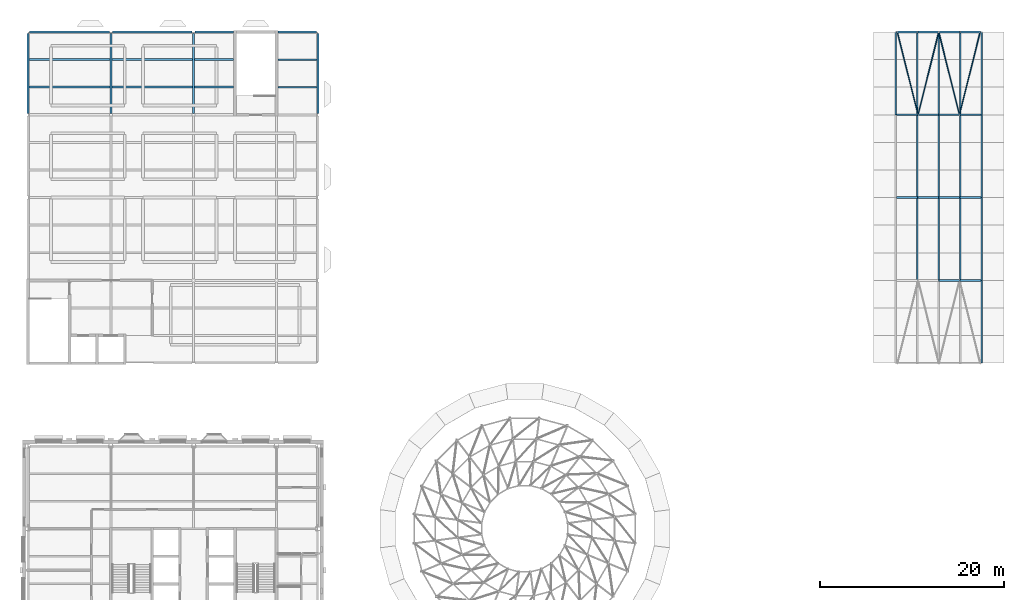
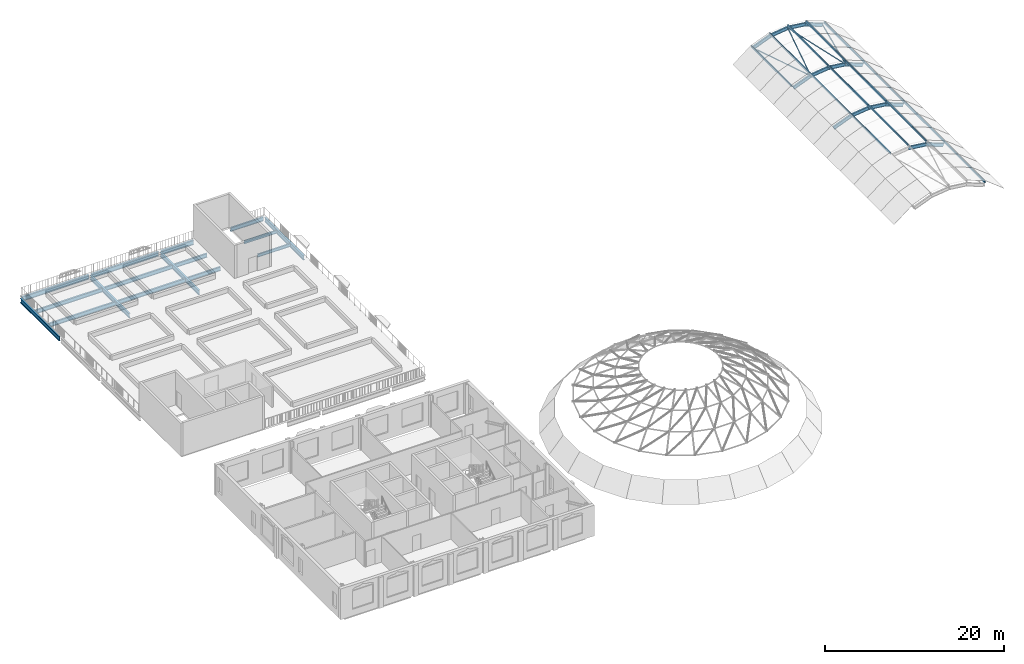
# One storey, part 8 of 33: 30 beams, 18 members.
"""IFC4 building model written with IfcOpenShell, lengths in metres."""

from ifc_helpers import new_model, si_unit, direction, frame, origin, origin_2d, place, context, subcontext, project, spatial, hollow_rectangle, hollow_circle, i_section, extrude, material, material_profile, profile_set, type_object, element, save


model = new_model("IFC4")

# Units and contexts
model_context = context("Model", 3, precision=1e-05, world=origin(), true_north=direction((0.0, 1.0)))
body_context = subcontext(model_context, "Body", "Model", "MODEL_VIEW")
ifc_project = project(units=[si_unit("LENGTHUNIT", "METRE"), si_unit("AREAUNIT", "SQUARE_METRE"), si_unit("VOLUMEUNIT", "CUBIC_METRE"), si_unit("PLANEANGLEUNIT", "RADIAN"), si_unit("MASSUNIT", "GRAM", prefix="KILO")], contexts=[model_context])

# Site, building, storey
site_placement = place(None, origin())
site = spatial("IfcSite", under=ifc_project, at=site_placement, CompositionType="ELEMENT")
building_placement = place(site_placement, origin())
building = spatial("IfcBuilding", under=site, at=building_placement, Name="Hortulan Conservatory and Botanical Research Centre", CompositionType="ELEMENT")
storey_placement = place(building_placement, frame((0.0, 0.0, 19.199951171875)))
storey = spatial("IfcBuildingStorey", under=building, at=storey_placement, Name="L04", CompositionType="ELEMENT", Elevation=19.199951171875)

# Beams
ifc_material_1 = material(Name="Steel Grade 300PLUS (AS/NZS 3679.1, 280 MPa minimum yield)", Category="steel")
ifc_material_profile_1 = material_profile(ifc_material_1, i_section(OverallWidth=0.208984375, OverallDepth=0.528076171875, WebThickness=0.009521484375, FlangeThickness=0.01318359375, FilletRadius=0.013916015625, at=origin_2d()), Name="530UB82.0")
ifc_profile_set_1 = profile_set([ifc_material_profile_1], Name="Steel Grade 300PLUS (AS/NZS 3679.1, 280 MPa minimum yield)")
beam_type_1 = type_object("IfcBeamType", Name="Primary Beam 530UB82.0", PredefinedType="BEAM", material=ifc_profile_set_1)
beam_1_placement = place(storey_placement, frame((27.14990234375, 72.0, -0.513916015625), z_axis=(1.0, 0.0, 0.0), x_axis=(0.0, 1.0, 0.0)))
element("IfcBeam", 1, at=beam_1_placement, inside=storey, type_object=beam_type_1, Name="530UB82.0 girder", PredefinedType="BEAM", context=body_context, shape_type="SweptSolid", body=[
    extrude(i_section(OverallWidth=0.208984375, OverallDepth=0.528076171875, WebThickness=0.009521484375, FlangeThickness=0.01318359375, FilletRadius=0.013916015625, at=origin_2d()), origin(), (0.0, 0.0, 1.0), 4.196533203125),
])
ifc_material_profile_2 = material_profile(ifc_material_1, i_section(OverallWidth=0.22802734375, OverallDepth=0.60693359375, WebThickness=0.01123046875, FlangeThickness=0.017333984375, FilletRadius=0.013916015625, at=origin_2d()), Name="610UB113")
ifc_profile_set_2 = profile_set([ifc_material_profile_2], Name="Steel Grade 300PLUS (AS/NZS 3679.1, 280 MPa minimum yield)")
beam_type_2 = type_object("IfcBeamType", Name="Primary Beam 610UB113", PredefinedType="BEAM", material=ifc_profile_set_2)
beam_2_placement = place(storey_placement, frame((0.0, 63.157470703125, -0.553466796875), z_axis=(0.0, 1.0, 0.0), x_axis=(-1.0, 0.0, 0.0)))
element("IfcBeam", 2, at=beam_2_placement, inside=storey, type_object=beam_type_2, Name="610UB113 girder", PredefinedType="BEAM", context=body_context, shape_type="SweptSolid", body=[
    extrude(i_section(OverallWidth=0.22802734375, OverallDepth=0.60693359375, WebThickness=0.01123046875, FlangeThickness=0.017333984375, FilletRadius=0.013916015625, at=origin_2d()), origin(), (0.0, 0.0, 1.0), 8.68505859375),
])
beam_3_placement = place(storey_placement, frame((0.153564453125, 72.0, -0.553466796875), z_axis=(1.0, 0.0, 0.0), x_axis=(0.0, 1.0, 0.0)))
element("IfcBeam", 3, at=beam_3_placement, inside=storey, type_object=beam_type_2, Name="610UB113 girder", PredefinedType="BEAM", context=body_context, shape_type="SweptSolid", body=[
    extrude(i_section(OverallWidth=0.22802734375, OverallDepth=0.60693359375, WebThickness=0.01123046875, FlangeThickness=0.017333984375, FilletRadius=0.013916015625, at=origin_2d()), origin(), (0.0, 0.0, 1.0), 8.68896484375),
])
beam_4_placement = place(storey_placement, frame((9.157470703125, 72.0, -0.553466796875), z_axis=(1.0, 0.0, 0.0), x_axis=(0.0, 1.0, 0.0)))
element("IfcBeam", 4, at=beam_4_placement, inside=storey, type_object=beam_type_2, Name="610UB113 girder", PredefinedType="BEAM", context=body_context, shape_type="SweptSolid", body=[
    extrude(i_section(OverallWidth=0.22802734375, OverallDepth=0.60693359375, WebThickness=0.01123046875, FlangeThickness=0.017333984375, FilletRadius=0.013916015625, at=origin_2d()), origin(), (0.0, 0.0, 1.0), 8.68505859375),
])
beam_5_placement = place(storey_placement, frame((18.157470703125, 72.0, -0.553466796875), z_axis=(1.0, 0.0, 0.0), x_axis=(0.0, 1.0, 0.0)))
element("IfcBeam", 5, at=beam_5_placement, inside=storey, type_object=beam_type_2, Name="610UB113 girder", PredefinedType="BEAM", context=body_context, shape_type="SweptSolid", body=[
    extrude(i_section(OverallWidth=0.22802734375, OverallDepth=0.60693359375, WebThickness=0.01123046875, FlangeThickness=0.017333984375, FilletRadius=0.013916015625, at=origin_2d()), origin(), (0.0, 0.0, 1.0), 4.192626953125),
])
beam_6_placement = place(storey_placement, frame((31.5, 63.157470703125, -0.553466796875), z_axis=(0.0, 1.0, 0.0), x_axis=(-1.0, 0.0, 0.0)))
element("IfcBeam", 6, at=beam_6_placement, inside=storey, type_object=beam_type_2, Name="610UB113 girder", PredefinedType="BEAM", context=body_context, shape_type="SweptSolid", body=[
    extrude(i_section(OverallWidth=0.22802734375, OverallDepth=0.60693359375, WebThickness=0.01123046875, FlangeThickness=0.017333984375, FilletRadius=0.013916015625, at=origin_2d()), origin(), (0.0, 0.0, 1.0), 8.68505859375),
])
ifc_material_profile_3 = material_profile(ifc_material_1, i_section(OverallWidth=0.22900390625, OverallDepth=0.612060546875, WebThickness=0.011962890625, FlangeThickness=0.01953125, FilletRadius=0.013916015625, at=origin_2d()), Name="610UB125")
ifc_profile_set_3 = profile_set([ifc_material_profile_3], Name="Steel Grade 300PLUS (AS/NZS 3679.1, 280 MPa minimum yield)")
beam_type_3 = type_object("IfcBeamType", Name="Primary Beam 610UB125", PredefinedType="BEAM", material=ifc_profile_set_3)
for number, where, z_axis, x_axis, name in (
    (7, (9.0, 63.157470703125, -0.555908203125), (0.0, 1.0, 0.0), (-1.0, 0.0, 0.0), "610UB125 girder"),
    (8, (18.0, 63.157470703125, -0.555908203125), (0.0, 1.0, 0.0), (-1.0, 0.0, 0.0), "610UB125 girder"),
):
    element("IfcBeam", number, at=place(storey_placement, frame(where, z_axis=z_axis, x_axis=x_axis)), inside=storey, type_object=beam_type_3, Name=name, PredefinedType="BEAM", context=body_context, shape_type="SweptSolid", body=[
        extrude(i_section(OverallWidth=0.22900390625, OverallDepth=0.612060546875, WebThickness=0.011962890625, FlangeThickness=0.01953125, FilletRadius=0.013916015625, at=origin_2d()), origin(), (0.0, 0.0, 1.0), 8.68896484375),
    ])
ifc_material_profile_4 = material_profile(ifc_material_1, i_section(OverallWidth=0.177978515625, OverallDepth=0.406005859375, WebThickness=0.0078125, FlangeThickness=0.0126953125, FilletRadius=0.011474609375, at=origin_2d()), Name="410UB59.7")
ifc_profile_set_4 = profile_set([ifc_material_profile_4], Name="Steel Grade 300PLUS (AS/NZS 3679.1, 280 MPa minimum yield)")
beam_type_4 = type_object("IfcBeamType", Name="Secondary Beam 410UB59.7", PredefinedType="JOIST", material=ifc_profile_set_4)
for number, where, z_axis, x_axis, name in (
    (9, (27.14990234375, 66.0, -0.452880859375), (1.0, 0.0, 0.0), (0.0, 1.0, 0.0), "410UB59.7 secondary beam"),
    (10, (27.14990234375, 69.0, -0.452880859375), (1.0, 0.0, 0.0), (0.0, 1.0, 0.0), "410UB59.7 secondary beam"),
):
    element("IfcBeam", number, at=place(storey_placement, frame(where, z_axis=z_axis, x_axis=x_axis)), inside=storey, type_object=beam_type_4, Name=name, PredefinedType="JOIST", context=body_context, shape_type="SweptSolid", body=[
        extrude(i_section(OverallWidth=0.177978515625, OverallDepth=0.406005859375, WebThickness=0.0078125, FlangeThickness=0.0126953125, FilletRadius=0.011474609375, at=origin_2d()), origin(), (0.0, 0.0, 1.0), 4.236083984375),
    ])
ifc_material_profile_5 = material_profile(ifc_material_1, i_section(OverallWidth=0.208984375, OverallDepth=0.528076171875, WebThickness=0.009521484375, FlangeThickness=0.01318359375, FilletRadius=0.013916015625, at=origin_2d()), Name="530UB82.0")
ifc_profile_set_5 = profile_set([ifc_material_profile_5], Name="Steel Grade 300PLUS (AS/NZS 3679.1, 280 MPa minimum yield)")
beam_type_5 = type_object("IfcBeamType", Name="Secondary Beam 530UB82.0", PredefinedType="JOIST", material=ifc_profile_set_5)
for number, where, z_axis, x_axis, name in (
    (11, (0.114013671875, 66.0, -0.513916015625), (1.0, 0.0, 0.0), (0.0, 1.0, 0.0), "530UB82.0 secondary beam"),
    (12, (0.114013671875, 69.0, -0.513916015625), (1.0, 0.0, 0.0), (0.0, 1.0, 0.0), "530UB82.0 secondary beam"),
):
    element("IfcBeam", number, at=place(storey_placement, frame(where, z_axis=z_axis, x_axis=x_axis)), inside=storey, type_object=beam_type_5, Name=name, PredefinedType="JOIST", context=body_context, shape_type="SweptSolid", body=[
        extrude(i_section(OverallWidth=0.208984375, OverallDepth=0.528076171875, WebThickness=0.009521484375, FlangeThickness=0.01318359375, FilletRadius=0.013916015625, at=origin_2d()), origin(), (0.0, 0.0, 1.0), 8.771484375),
    ])
for number, where, z_axis, x_axis, name in (
    (13, (9.114501953125, 66.0, -0.513916015625), (1.0, 0.0, 0.0), (0.0, 1.0, 0.0), "530UB82.0 secondary beam"),
    (14, (9.114501953125, 69.0, -0.513916015625), (1.0, 0.0, 0.0), (0.0, 1.0, 0.0), "530UB82.0 secondary beam"),
):
    element("IfcBeam", number, at=place(storey_placement, frame(where, z_axis=z_axis, x_axis=x_axis)), inside=storey, type_object=beam_type_5, Name=name, PredefinedType="JOIST", context=body_context, shape_type="SweptSolid", body=[
        extrude(i_section(OverallWidth=0.208984375, OverallDepth=0.528076171875, WebThickness=0.009521484375, FlangeThickness=0.01318359375, FilletRadius=0.013916015625, at=origin_2d()), origin(), (0.0, 0.0, 1.0), 8.77099609375),
    ])
for number, where, z_axis, x_axis, name in (
    (15, (18.114501953125, 66.0, -0.513916015625), (1.0, 0.0, 0.0), (0.0, 1.0, 0.0), "530UB82.0 secondary beam"),
    (16, (18.114501953125, 69.0, -0.513916015625), (1.0, 0.0, 0.0), (0.0, 1.0, 0.0), "530UB82.0 secondary beam"),
):
    element("IfcBeam", number, at=place(storey_placement, frame(where, z_axis=z_axis, x_axis=x_axis)), inside=storey, type_object=beam_type_5, Name=name, PredefinedType="JOIST", context=body_context, shape_type="SweptSolid", body=[
        extrude(i_section(OverallWidth=0.208984375, OverallDepth=0.528076171875, WebThickness=0.009521484375, FlangeThickness=0.01318359375, FilletRadius=0.013916015625, at=origin_2d()), origin(), (0.0, 0.0, 1.0), 4.235595703125),
    ])
ifc_material_profile_6 = material_profile(ifc_material_1, i_section(OverallWidth=0.18994140625, OverallDepth=0.45703125, WebThickness=0.009033203125, FlangeThickness=0.014404296875, FilletRadius=0.011474609375, at=origin_2d()), Name="460UB74.6")
ifc_profile_set_6 = profile_set([ifc_material_profile_6], Name="Steel Grade 300PLUS (AS/NZS 3679.1, 280 MPa minimum yield)")
beam_type_6 = type_object("IfcBeamType", Name="Vault Arch 460UB74.6", PredefinedType="BEAM", material=ifc_profile_set_6)
beam_7_placement = place(storey_placement, frame((99.0, 45.0, 1.800048828125), z_axis=(0.992527674609, 0.0, -0.122019732566), x_axis=(0.0, 1.0, 0.0)))
element("IfcBeam", 17, at=beam_7_placement, inside=storey, type_object=beam_type_6, Name="Vault arch 2 chord 5", PredefinedType="BEAM", context=body_context, shape_type="SweptSolid", body=[
    extrude(i_section(OverallWidth=0.18994140625, OverallDepth=0.45703125, WebThickness=0.009033203125, FlangeThickness=0.014404296875, FilletRadius=0.011474609375, at=origin_2d()), origin(), (0.0, 0.0, 1.0), 2.266845703125),
])
for number, where, z_axis, x_axis, name in (
    (18, (101.25, 45.0, 1.5234375), (0.930392743285, 0.0, -0.366564241631), (0.0, 1.0, 0.0), "Vault arch 2 chord 6"),
    (19, (94.5, 54.0, 0.636962890625), (0.930392743285, 0.0, 0.366564241631), (0.0, 1.0, 0.0), "Vault arch 3 chord 3"),
):
    element("IfcBeam", number, at=place(storey_placement, frame(where, z_axis=z_axis, x_axis=x_axis)), inside=storey, type_object=beam_type_6, Name=name, PredefinedType="BEAM", context=body_context, shape_type="SweptSolid", body=[
        extrude(i_section(OverallWidth=0.18994140625, OverallDepth=0.45703125, WebThickness=0.009033203125, FlangeThickness=0.014404296875, FilletRadius=0.011474609375, at=origin_2d()), origin(), (0.0, 0.0, 1.0), 2.418212890625),
    ])
for number, where, z_axis, x_axis, name in (
    (20, (96.75, 54.0, 1.5234375), (0.992527674609, 0.0, 0.122019732566), (0.0, 1.0, 0.0), "Vault arch 3 chord 4"),
    (21, (99.0, 54.0, 1.800048828125), (0.992527674609, 0.0, -0.122019732566), (0.0, 1.0, 0.0), "Vault arch 3 chord 5"),
):
    element("IfcBeam", number, at=place(storey_placement, frame(where, z_axis=z_axis, x_axis=x_axis)), inside=storey, type_object=beam_type_6, Name=name, PredefinedType="BEAM", context=body_context, shape_type="SweptSolid", body=[
        extrude(i_section(OverallWidth=0.18994140625, OverallDepth=0.45703125, WebThickness=0.009033203125, FlangeThickness=0.014404296875, FilletRadius=0.011474609375, at=origin_2d()), origin(), (0.0, 0.0, 1.0), 2.266845703125),
    ])
for number, where, z_axis, x_axis, name in (
    (22, (101.25, 54.0, 1.5234375), (0.930392743285, 0.0, -0.366564241631), (0.0, 1.0, 0.0), "Vault arch 3 chord 6"),
    (23, (94.5, 63.0, 0.636962890625), (0.930392743285, 0.0, 0.366564241631), (0.0, 1.0, 0.0), "Vault arch 4 chord 3"),
):
    element("IfcBeam", number, at=place(storey_placement, frame(where, z_axis=z_axis, x_axis=x_axis)), inside=storey, type_object=beam_type_6, Name=name, PredefinedType="BEAM", context=body_context, shape_type="SweptSolid", body=[
        extrude(i_section(OverallWidth=0.18994140625, OverallDepth=0.45703125, WebThickness=0.009033203125, FlangeThickness=0.014404296875, FilletRadius=0.011474609375, at=origin_2d()), origin(), (0.0, 0.0, 1.0), 2.418212890625),
    ])
for number, where, z_axis, x_axis, name in (
    (24, (96.75, 63.0, 1.5234375), (0.992527674609, 0.0, 0.122019732566), (0.0, 1.0, 0.0), "Vault arch 4 chord 4"),
    (25, (99.0, 63.0, 1.800048828125), (0.992527674609, 0.0, -0.122019732566), (0.0, 1.0, 0.0), "Vault arch 4 chord 5"),
):
    element("IfcBeam", number, at=place(storey_placement, frame(where, z_axis=z_axis, x_axis=x_axis)), inside=storey, type_object=beam_type_6, Name=name, PredefinedType="BEAM", context=body_context, shape_type="SweptSolid", body=[
        extrude(i_section(OverallWidth=0.18994140625, OverallDepth=0.45703125, WebThickness=0.009033203125, FlangeThickness=0.014404296875, FilletRadius=0.011474609375, at=origin_2d()), origin(), (0.0, 0.0, 1.0), 2.266845703125),
    ])
for number, where, z_axis, x_axis, name in (
    (26, (101.25, 63.0, 1.5234375), (0.930392743285, 0.0, -0.366564241631), (0.0, 1.0, 0.0), "Vault arch 4 chord 6"),
    (27, (94.5, 72.0, 0.636962890625), (0.930392743285, 0.0, 0.366564241631), (0.0, 1.0, 0.0), "Vault arch 5 chord 3"),
):
    element("IfcBeam", number, at=place(storey_placement, frame(where, z_axis=z_axis, x_axis=x_axis)), inside=storey, type_object=beam_type_6, Name=name, PredefinedType="BEAM", context=body_context, shape_type="SweptSolid", body=[
        extrude(i_section(OverallWidth=0.18994140625, OverallDepth=0.45703125, WebThickness=0.009033203125, FlangeThickness=0.014404296875, FilletRadius=0.011474609375, at=origin_2d()), origin(), (0.0, 0.0, 1.0), 2.418212890625),
    ])
for number, where, z_axis, x_axis, name in (
    (28, (96.75, 72.0, 1.5234375), (0.992527674609, 0.0, 0.122019732566), (0.0, 1.0, 0.0), "Vault arch 5 chord 4"),
    (29, (99.0, 72.0, 1.800048828125), (0.992527674609, 0.0, -0.122019732566), (0.0, 1.0, 0.0), "Vault arch 5 chord 5"),
):
    element("IfcBeam", number, at=place(storey_placement, frame(where, z_axis=z_axis, x_axis=x_axis)), inside=storey, type_object=beam_type_6, Name=name, PredefinedType="BEAM", context=body_context, shape_type="SweptSolid", body=[
        extrude(i_section(OverallWidth=0.18994140625, OverallDepth=0.45703125, WebThickness=0.009033203125, FlangeThickness=0.014404296875, FilletRadius=0.011474609375, at=origin_2d()), origin(), (0.0, 0.0, 1.0), 2.266845703125),
    ])
beam_8_placement = place(storey_placement, frame((101.25, 72.0, 1.5234375), z_axis=(0.930392743285, 0.0, -0.366564241631), x_axis=(0.0, 1.0, 0.0)))
element("IfcBeam", 30, at=beam_8_placement, inside=storey, type_object=beam_type_6, Name="Vault arch 5 chord 6", PredefinedType="BEAM", context=body_context, shape_type="SweptSolid", body=[
    extrude(i_section(OverallWidth=0.18994140625, OverallDepth=0.45703125, WebThickness=0.009033203125, FlangeThickness=0.014404296875, FilletRadius=0.011474609375, at=origin_2d()), origin(), (0.0, 0.0, 1.0), 2.418212890625),
])

# Members
ifc_material_2 = material(Name="Steel Grade C450L0 (450 MPa, AS/NZS 1163)", Category="steel")
ifc_material_profile_7 = material_profile(ifc_material_2, hollow_rectangle(XDim=0.14990234375, YDim=0.25, WallThickness=0.009033203125, InnerFilletRadius=0.013427734375, OuterFilletRadius=0.0224609375, at=origin_2d()), Name="250x150x9RHS")
ifc_profile_set_7 = profile_set([ifc_material_profile_7], Name="Steel Grade C450L0 (450 MPa, AS/NZS 1163)")
member_type_1 = type_object("IfcMemberType", Name="Vault Purlin 250x150x9 RHS", PredefinedType="PURLIN", material=ifc_profile_set_7)
for number, where, z_axis, x_axis, name in (
    (31, (94.3251953125, 63.0, 0.94384765625), (0.0, 1.0, 0.0), (-1.0, 0.0, 0.0), "Vault purlin 2 bay 4"),
    (32, (96.6630859375, 45.0, 1.865234375), (0.0, 1.0, 0.0), (-1.0, 0.0, 0.0), "Vault purlin 3 bay 2"),
    (33, (96.6630859375, 54.0, 1.865234375), (0.0, 1.0, 0.0), (-1.0, 0.0, 0.0), "Vault purlin 3 bay 3"),
    (34, (96.6630859375, 63.0, 1.865234375), (0.0, 1.0, 0.0), (-1.0, 0.0, 0.0), "Vault purlin 3 bay 4"),
    (35, (99.0, 45.0, 2.15283203125), (0.0, 1.0, 0.0), (-1.0, 0.0, 0.0), "Vault purlin 4 bay 2"),
    (36, (99.0, 54.0, 2.15283203125), (0.0, 1.0, 0.0), (-1.0, 0.0, 0.0), "Vault purlin 4 bay 3"),
    (37, (99.0, 63.0, 2.15283203125), (0.0, 1.0, 0.0), (-1.0, 0.0, 0.0), "Vault purlin 4 bay 4"),
    (38, (101.3369140625, 45.0, 1.865234375), (0.0, 1.0, 0.0), (-1.0, 0.0, 0.0), "Vault purlin 5 bay 2"),
    (39, (101.3369140625, 54.0, 1.865234375), (0.0, 1.0, 0.0), (-1.0, 0.0, 0.0), "Vault purlin 5 bay 3"),
    (40, (101.3369140625, 63.0, 1.865234375), (0.0, 1.0, 0.0), (-1.0, 0.0, 0.0), "Vault purlin 5 bay 4"),
    (41, (103.6748046875, 36.0, 0.94384765625), (0.0, 1.0, 0.0), (-1.0, 0.0, 0.0), "Vault purlin 6 bay 1"),
    (42, (103.6748046875, 45.0, 0.94384765625), (0.0, 1.0, 0.0), (-1.0, 0.0, 0.0), "Vault purlin 6 bay 2"),
    (43, (103.6748046875, 54.0, 0.94384765625), (0.0, 1.0, 0.0), (-1.0, 0.0, 0.0), "Vault purlin 6 bay 3"),
    (44, (103.6748046875, 63.0, 0.94384765625), (0.0, 1.0, 0.0), (-1.0, 0.0, 0.0), "Vault purlin 6 bay 4"),
):
    element("IfcMember", number, at=place(storey_placement, frame(where, z_axis=z_axis, x_axis=x_axis)), inside=storey, type_object=member_type_1, Name=name, PredefinedType="PURLIN", context=body_context, shape_type="SweptSolid", body=[
        extrude(hollow_rectangle(XDim=0.14990234375, YDim=0.25, WallThickness=0.009033203125, InnerFilletRadius=0.013427734375, OuterFilletRadius=0.0224609375, at=origin_2d()), origin(), (0.0, 0.0, 1.0), 9.0),
    ])
ifc_material_3 = material(Name="Steel Grade C350L0 (350 MPa, AS/NZS 1163)", Category="steel")
ifc_material_profile_8 = material_profile(ifc_material_3, hollow_circle(Radius=0.04443359375, WallThickness=0.005859375, at=origin_2d()), Name="88.9x5.9CHS")
ifc_profile_set_8 = profile_set([ifc_material_profile_8], Name="Steel Grade C350L0 (350 MPa, AS/NZS 1163)")
member_type_2 = type_object("IfcMemberType", Name="Vault Roof Brace 88.9x5.9 CHS", PredefinedType="BRACE", material=ifc_profile_set_8)
member_1_placement = place(storey_placement, frame((94.5, 72.0, 0.636962890625), z_axis=(0.241435853681, -0.965743414724, 0.095123001814), x_axis=(0.970142500145, 0.242535625036, 0.0)))
element("IfcMember", 45, at=member_1_placement, inside=storey, type_object=member_type_2, Name="Vault roof brace bay 4 panel 3", PredefinedType="BRACE", context=body_context, shape_type="SweptSolid", body=[
    extrude(hollow_circle(Radius=0.04443359375, WallThickness=0.005859375, at=origin_2d()), origin(), (0.0, 0.0, 1.0), 9.3193359375),
])
for number, where, z_axis, x_axis, name in (
    (46, (96.75, 63.0, 1.5234375), (0.242427883777, 0.96971153511, 0.029803688403), (-0.970142500145, 0.242535625036, 0.0), "Vault roof brace bay 4 panel 4"),
    (47, (99.0, 72.0, 1.800048828125), (0.242427883777, -0.96971153511, -0.029803688403), (0.970142500145, 0.242535625036, 0.0), "Vault roof brace bay 4 panel 5"),
):
    element("IfcMember", number, at=place(storey_placement, frame(where, z_axis=z_axis, x_axis=x_axis)), inside=storey, type_object=member_type_2, Name=name, PredefinedType="BRACE", context=body_context, shape_type="SweptSolid", body=[
        extrude(hollow_circle(Radius=0.04443359375, WallThickness=0.005859375, at=origin_2d()), origin(), (0.0, 0.0, 1.0), 9.281005859375),
    ])
member_2_placement = place(storey_placement, frame((101.25, 63.0, 1.5234375), z_axis=(0.241435853681, 0.965743414724, -0.095123001814), x_axis=(-0.970142500145, 0.242535625036, 0.0)))
element("IfcMember", 48, at=member_2_placement, inside=storey, type_object=member_type_2, Name="Vault roof brace bay 4 panel 6", PredefinedType="BRACE", context=body_context, shape_type="SweptSolid", body=[
    extrude(hollow_circle(Radius=0.04443359375, WallThickness=0.005859375, at=origin_2d()), origin(), (0.0, 0.0, 1.0), 9.3193359375),
])

save(model, "model.ifc")
